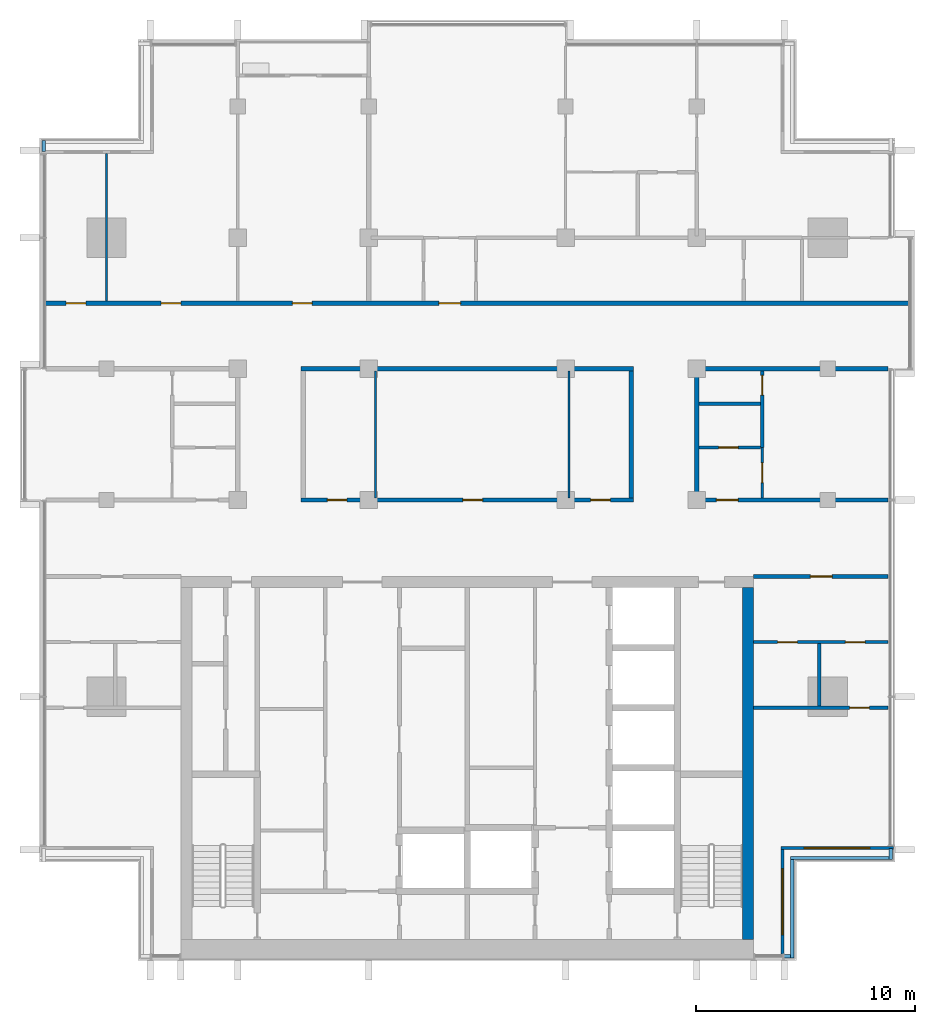
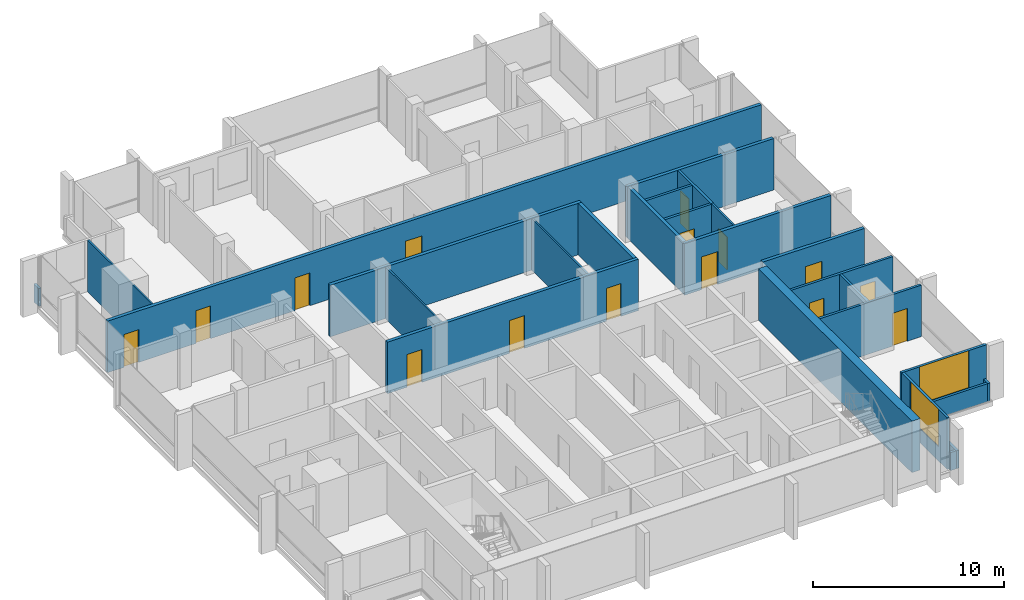
# One storey, part 9 of 16: 26 walls, 15 doors, 2 windows, 17 openings.
"""IFC4 building model written with IfcOpenShell, lengths in metres."""

from ifc_helpers import new_model, si_unit, direction, frame, frame_2d, origin, place, context, subcontext, project, spatial, rectangle, extrude, material, layer, layer_set, type_object, element, fill, save


model = new_model("IFC4")

# Units and contexts
model_context = context("Model", 3, precision=1e-05, world=origin(), true_north=direction((0.0, 1.0)))
body_context = subcontext(model_context, "Body", "Model", "MODEL_VIEW")
ifc_project = project(units=[si_unit("LENGTHUNIT", "METRE"), si_unit("AREAUNIT", "SQUARE_METRE"), si_unit("VOLUMEUNIT", "CUBIC_METRE"), si_unit("PLANEANGLEUNIT", "RADIAN"), si_unit("MASSUNIT", "GRAM", prefix="KILO")], contexts=[model_context])

# Site, building, storey
site_placement = place(None, origin())
site = spatial("IfcSite", under=ifc_project, at=site_placement, CompositionType="ELEMENT")
building_placement = place(site_placement, origin())
building = spatial("IfcBuilding", under=site, at=building_placement, Name="Finial Court Residences", CompositionType="ELEMENT")
storey_placement = place(building_placement, frame((0.0, 0.0, 255.5)))
storey = spatial("IfcBuildingStorey", under=building, at=storey_placement, Name="L64", CompositionType="ELEMENT", Elevation=255.5)

# Wall
ifc_material_1 = material(Name="Concrete C50/60", Category="concrete")
ifc_layer_1 = layer(ifc_material_1, 0.5)
ifc_layer_set_1 = layer_set([ifc_layer_1], Name="Core outer wall 500 Concrete C50/60")
wall_type_1 = type_object("IfcWallType", Name="Core outer wall 500 Concrete C50/60", PredefinedType="SHEAR", material=ifc_layer_set_1)
wall_1_placement = place(storey_placement, frame((12.85009765625, -24.60009765625, 0.0), z_axis=(0.0, 0.0, 1.0), x_axis=(0.0, 1.0, 0.0)))
element("IfcWall", 1, at=wall_1_placement, inside=storey, type_object=wall_type_1, Name="Core outer wall L64-04", PredefinedType="SHEAR", context=body_context, shape_type="SweptSolid", body=[
    extrude(rectangle(XDim=16.10009765625, YDim=0.5, at=frame_2d((8.050048828125, 0.0))), origin(), (0.0, 0.0, 1.0), 3.300048828125),
])

# Wall, opening, door
ifc_material_2 = material(Name="Gypsum board")
ifc_layer_2 = layer(ifc_material_2, 0.02490234375)
ifc_material_3 = material(Name="Acoustic mineral wool in double frame")
ifc_layer_3 = layer(ifc_material_3, 0.14990234375)
ifc_layer_4 = layer(ifc_material_2, 0.02490234375)
ifc_layer_set_2 = layer_set([ifc_layer_2, ifc_layer_3, ifc_layer_4], Name="Corridor wall 200, 1 hour")
wall_type_2 = type_object("IfcWallType", Name="Corridor wall 200, 1 hour", PredefinedType="PARTITIONING", material=ifc_layer_set_2)
wall_2_placement = place(storey_placement, frame((13.10009765625, -8.0, 0.0), z_axis=(0.0, 0.0, 1.0), x_axis=(1.0, 0.0, 0.0)))
wall_2 = element("IfcWall", 2, at=wall_2_placement, inside=storey, type_object=wall_type_2, Name="Partition L64-005", PredefinedType="PARTITIONING", context=body_context, shape_type="SweptSolid", body=[
    extrude(rectangle(XDim=6.162353515625, YDim=0.199951171875, at=frame_2d((3.0810546875, 0.0))), origin(), (0.0, 0.0, 1.0), 3.300048828125),
])
opening_1_placement = place(wall_2_placement, frame((2.60009765625, 0.0, 0.0)))
opening_1 = element("IfcOpeningElement", 3, at=opening_1_placement, cuts=wall_2, Name="Opening L64-D008", PredefinedType="OPENING", context=body_context, shape_type="SweptSolid", body=[
    extrude(rectangle(XDim=1.0, YDim=2.10009765625, at=frame_2d((0.5, 1.050048828125))), frame((0.0, 0.10986328125, 0.0), z_axis=(0.0, -1.0, 0.0), x_axis=(1.0, 0.0, 0.0)), (0.0, 0.0, 1.0), 0.219970703125),
])
ifc_material_4 = material(Name="Timber door leaf in hollow metal frame", Category="wood")
door_type_1 = type_object("IfcDoorType", Name="Fire door set 1000 x 2100, 30 minutes", OperationType="SINGLE_SWING_LEFT", PredefinedType="DOOR", material=ifc_material_4)
door_1_placement = place(opening_1_placement, origin())
door_1 = element("IfcDoor", 4, at=door_1_placement, inside=storey, type_object=door_type_1, Name="Door L64-D008", OperationType="SINGLE_SWING_RIGHT", OverallHeight=2.10009765625, OverallWidth=1.0, PredefinedType="DOOR", context=body_context, shape_type="SweptSolid", body=[
    extrude(rectangle(XDim=1.0, YDim=2.10009765625, at=frame_2d((0.5, 1.050048828125))), frame((0.0, 0.02490234375, 0.0), z_axis=(0.0, -1.0, 0.0), x_axis=(1.0, 0.0, 0.0)), (0.0, 0.0, 1.0), 0.050048828125),
])
fill(opening_1, door_1)

# Wall, openings, doors
wall_3_placement = place(storey_placement, frame((-7.60009765625, -4.5, 0.0), z_axis=(0.0, 0.0, 1.0), x_axis=(1.0, 0.0, 0.0)))
wall_3 = element("IfcWall", 5, at=wall_3_placement, inside=storey, type_object=wall_type_2, Name="Partition L64-007", PredefinedType="PARTITIONING", context=body_context, shape_type="SweptSolid", body=[
    extrude(rectangle(XDim=15.2001953125, YDim=0.199951171875, at=frame_2d((7.60009765625, 0.0))), origin(), (0.0, 0.0, 1.0), 3.300048828125),
])
opening_2_placement = place(wall_3_placement, frame((1.199951171875, 0.0, 0.0)))
opening_2 = element("IfcOpeningElement", 6, at=opening_2_placement, cuts=wall_3, Name="Opening L64-D010", PredefinedType="OPENING", context=body_context, shape_type="SweptSolid", body=[
    extrude(rectangle(XDim=0.89990234375, YDim=2.10009765625, at=frame_2d((0.449951171875, 1.050048828125))), frame((0.0, 0.10986328125, 0.0), z_axis=(0.0, -1.0, 0.0), x_axis=(1.0, 0.0, 0.0)), (0.0, 0.0, 1.0), 0.219970703125),
])
opening_3_placement = place(wall_3_placement, frame((7.39990234375, 0.0, 0.0)))
opening_3 = element("IfcOpeningElement", 7, at=opening_3_placement, cuts=wall_3, Name="Opening L64-D011", PredefinedType="OPENING", context=body_context, shape_type="SweptSolid", body=[
    extrude(rectangle(XDim=0.89990234375, YDim=2.10009765625, at=frame_2d((0.449951171875, 1.050048828125))), frame((0.0, 0.10986328125, 0.0), z_axis=(0.0, -1.0, 0.0), x_axis=(1.0, 0.0, 0.0)), (0.0, 0.0, 1.0), 0.219970703125),
])
opening_4_placement = place(wall_3_placement, frame((13.25, 0.0, 0.0)))
opening_4 = element("IfcOpeningElement", 8, at=opening_4_placement, cuts=wall_3, Name="Opening L64-D012", PredefinedType="OPENING", context=body_context, shape_type="SweptSolid", body=[
    extrude(rectangle(XDim=0.89990234375, YDim=2.10009765625, at=frame_2d((0.449951171875, 1.050048828125))), frame((0.0, 0.10986328125, 0.0), z_axis=(0.0, -1.0, 0.0), x_axis=(1.0, 0.0, 0.0)), (0.0, 0.0, 1.0), 0.219970703125),
])
door_type_2 = type_object("IfcDoorType", Name="Fire door set 900 x 2100, 30 minutes", OperationType="SINGLE_SWING_LEFT", PredefinedType="DOOR", material=ifc_material_4)
door_2_placement = place(opening_2_placement, origin())
door_2 = element("IfcDoor", 9, at=door_2_placement, inside=storey, type_object=door_type_2, Name="Door L64-D010", OperationType="SINGLE_SWING_RIGHT", OverallHeight=2.10009765625, OverallWidth=0.89990234375, PredefinedType="DOOR", context=body_context, shape_type="SweptSolid", body=[
    extrude(rectangle(XDim=0.89990234375, YDim=2.10009765625, at=frame_2d((0.449951171875, 1.050048828125))), frame((0.0, 0.02490234375, 0.0), z_axis=(0.0, -1.0, 0.0), x_axis=(1.0, 0.0, 0.0)), (0.0, 0.0, 1.0), 0.050048828125),
])
fill(opening_2, door_2)
door_3_placement = place(opening_3_placement, origin())
door_3 = element("IfcDoor", 10, at=door_3_placement, inside=storey, type_object=door_type_2, Name="Door L64-D011", OperationType="SINGLE_SWING_LEFT", OverallHeight=2.10009765625, OverallWidth=0.89990234375, PredefinedType="DOOR", context=body_context, shape_type="SweptSolid", body=[
    extrude(rectangle(XDim=0.89990234375, YDim=2.10009765625, at=frame_2d((0.449951171875, 1.050048828125))), frame((0.0, 0.02490234375, 0.0), z_axis=(0.0, -1.0, 0.0), x_axis=(1.0, 0.0, 0.0)), (0.0, 0.0, 1.0), 0.050048828125),
])
fill(opening_3, door_3)
door_4_placement = place(opening_4_placement, origin())
door_4 = element("IfcDoor", 11, at=door_4_placement, inside=storey, type_object=door_type_2, Name="Door L64-D012", OperationType="SINGLE_SWING_LEFT", OverallHeight=2.10009765625, OverallWidth=0.89990234375, PredefinedType="DOOR", context=body_context, shape_type="SweptSolid", body=[
    extrude(rectangle(XDim=0.89990234375, YDim=2.10009765625, at=frame_2d((0.449951171875, 1.050048828125))), frame((0.0, 0.02490234375, 0.0), z_axis=(0.0, -1.0, 0.0), x_axis=(1.0, 0.0, 0.0)), (0.0, 0.0, 1.0), 0.050048828125),
])
fill(opening_4, door_4)

# Wall, opening, door
wall_4_placement = place(storey_placement, frame((10.39990234375, -4.5, 0.0), z_axis=(0.0, 0.0, 1.0), x_axis=(1.0, 0.0, 0.0)))
wall_4 = element("IfcWall", 12, at=wall_4_placement, inside=storey, type_object=wall_type_2, Name="Partition L64-008", PredefinedType="PARTITIONING", context=body_context, shape_type="SweptSolid", body=[
    extrude(rectangle(XDim=8.862548828125, YDim=0.199951171875, at=frame_2d((4.43115234375, 0.0))), origin(), (0.0, 0.0, 1.0), 3.300048828125),
])
opening_5_placement = place(wall_4_placement, frame((1.0, 0.0, 0.0)))
opening_5 = element("IfcOpeningElement", 13, at=opening_5_placement, cuts=wall_4, Name="Opening L64-D013", PredefinedType="OPENING", context=body_context, shape_type="SweptSolid", body=[
    extrude(rectangle(XDim=1.0, YDim=2.10009765625, at=frame_2d((0.5, 1.050048828125))), frame((0.0, 0.10986328125, 0.0), z_axis=(0.0, -1.0, 0.0), x_axis=(1.0, 0.0, 0.0)), (0.0, 0.0, 1.0), 0.219970703125),
])
door_5_placement = place(opening_5_placement, origin())
door_5 = element("IfcDoor", 14, at=door_5_placement, inside=storey, type_object=door_type_1, Name="Door L64-D013", OperationType="SINGLE_SWING_RIGHT", OverallHeight=2.10009765625, OverallWidth=1.0, PredefinedType="DOOR", context=body_context, shape_type="SweptSolid", body=[
    extrude(rectangle(XDim=1.0, YDim=2.10009765625, at=frame_2d((0.5, 1.050048828125))), frame((0.0, 0.02490234375, 0.0), z_axis=(0.0, -1.0, 0.0), x_axis=(1.0, 0.0, 0.0)), (0.0, 0.0, 1.0), 0.050048828125),
])
fill(opening_5, door_5)

# Walls
wall_5_placement = place(storey_placement, frame((-7.60009765625, 1.5, 0.0), z_axis=(0.0, 0.0, 1.0), x_axis=(1.0, 0.0, 0.0)))
element("IfcWall", 15, at=wall_5_placement, inside=storey, type_object=wall_type_2, Name="Partition L64-014", PredefinedType="PARTITIONING", context=body_context, shape_type="SweptSolid", body=[
    extrude(rectangle(XDim=15.2001953125, YDim=0.199951171875, at=frame_2d((7.60009765625, 0.0))), origin(), (0.0, 0.0, 1.0), 3.300048828125),
])
wall_6_placement = place(storey_placement, frame((10.39990234375, 1.5, 0.0), z_axis=(0.0, 0.0, 1.0), x_axis=(1.0, 0.0, 0.0)))
element("IfcWall", 16, at=wall_6_placement, inside=storey, type_object=wall_type_2, Name="Partition L64-015", PredefinedType="PARTITIONING", context=body_context, shape_type="SweptSolid", body=[
    extrude(rectangle(XDim=8.862548828125, YDim=0.199951171875, at=frame_2d((4.43115234375, 0.0))), origin(), (0.0, 0.0, 1.0), 3.300048828125),
])

# Wall, openings, doors
wall_7_placement = place(storey_placement, frame((-19.35009765625, 4.5, 0.0), z_axis=(0.0, 0.0, 1.0), x_axis=(1.0, 0.0, 0.0)))
wall_7 = element("IfcWall", 17, at=wall_7_placement, inside=storey, type_object=wall_type_2, Name="Partition L64-016", PredefinedType="PARTITIONING", context=body_context, shape_type="SweptSolid", body=[
    extrude(rectangle(XDim=39.60009765625, YDim=0.199951171875, at=frame_2d((19.800048828125, 0.0))), origin(), (0.0, 0.0, 1.0), 3.300048828125),
])
opening_6_placement = place(wall_7_placement, frame((1.0, 0.0, 0.0)))
opening_6 = element("IfcOpeningElement", 18, at=opening_6_placement, cuts=wall_7, Name="Opening L64-D016", PredefinedType="OPENING", context=body_context, shape_type="SweptSolid", body=[
    extrude(rectangle(XDim=0.89990234375, YDim=2.10009765625, at=frame_2d((0.449951171875, 1.050048828125))), frame((0.0, 0.10986328125, 0.0), z_axis=(0.0, -1.0, 0.0), x_axis=(1.0, 0.0, 0.0)), (0.0, 0.0, 1.0), 0.219970703125),
])
opening_7_placement = place(wall_7_placement, frame((5.35009765625, 0.0, 0.0)))
opening_7 = element("IfcOpeningElement", 19, at=opening_7_placement, cuts=wall_7, Name="Opening L64-D017", PredefinedType="OPENING", context=body_context, shape_type="SweptSolid", body=[
    extrude(rectangle(XDim=0.89990234375, YDim=2.10009765625, at=frame_2d((0.449951171875, 1.050048828125))), frame((0.0, 0.10986328125, 0.0), z_axis=(0.0, -1.0, 0.0), x_axis=(1.0, 0.0, 0.0)), (0.0, 0.0, 1.0), 0.219970703125),
])
opening_8_placement = place(wall_7_placement, frame((11.35009765625, 0.0, 0.0)))
opening_8 = element("IfcOpeningElement", 20, at=opening_8_placement, cuts=wall_7, Name="Opening L64-D018", PredefinedType="OPENING", context=body_context, shape_type="SweptSolid", body=[
    extrude(rectangle(XDim=0.89990234375, YDim=2.10009765625, at=frame_2d((0.449951171875, 1.050048828125))), frame((0.0, 0.10986328125, 0.0), z_axis=(0.0, -1.0, 0.0), x_axis=(1.0, 0.0, 0.0)), (0.0, 0.0, 1.0), 0.219970703125),
])
opening_9_placement = place(wall_7_placement, frame((18.050048828125, 0.0, 0.0)))
opening_9 = element("IfcOpeningElement", 21, at=opening_9_placement, cuts=wall_7, Name="Opening L64-D019", PredefinedType="OPENING", context=body_context, shape_type="SweptSolid", body=[
    extrude(rectangle(XDim=1.0, YDim=2.10009765625, at=frame_2d((0.5, 1.050048828125))), frame((0.0, 0.10986328125, 0.0), z_axis=(0.0, -1.0, 0.0), x_axis=(1.0, 0.0, 0.0)), (0.0, 0.0, 1.0), 0.219970703125),
])
door_6_placement = place(opening_9_placement, origin())
door_6 = element("IfcDoor", 22, at=door_6_placement, inside=storey, type_object=door_type_1, Name="Door L64-D019", OperationType="SINGLE_SWING_RIGHT", OverallHeight=2.10009765625, OverallWidth=1.0, PredefinedType="DOOR", context=body_context, shape_type="SweptSolid", body=[
    extrude(rectangle(XDim=1.0, YDim=2.10009765625, at=frame_2d((0.5, 1.050048828125))), frame((0.0, 0.02490234375, 0.0), z_axis=(0.0, -1.0, 0.0), x_axis=(1.0, 0.0, 0.0)), (0.0, 0.0, 1.0), 0.050048828125),
])
fill(opening_9, door_6)
door_7_placement = place(opening_6_placement, origin())
door_7 = element("IfcDoor", 23, at=door_7_placement, inside=storey, type_object=door_type_2, Name="Door L64-D016", OperationType="SINGLE_SWING_RIGHT", OverallHeight=2.10009765625, OverallWidth=0.89990234375, PredefinedType="DOOR", context=body_context, shape_type="SweptSolid", body=[
    extrude(rectangle(XDim=0.89990234375, YDim=2.10009765625, at=frame_2d((0.449951171875, 1.050048828125))), frame((0.0, 0.02490234375, 0.0), z_axis=(0.0, -1.0, 0.0), x_axis=(1.0, 0.0, 0.0)), (0.0, 0.0, 1.0), 0.050048828125),
])
fill(opening_6, door_7)
door_8_placement = place(opening_7_placement, origin())
door_8 = element("IfcDoor", 24, at=door_8_placement, inside=storey, type_object=door_type_2, Name="Door L64-D017", OperationType="SINGLE_SWING_RIGHT", OverallHeight=2.10009765625, OverallWidth=0.89990234375, PredefinedType="DOOR", context=body_context, shape_type="SweptSolid", body=[
    extrude(rectangle(XDim=0.89990234375, YDim=2.10009765625, at=frame_2d((0.449951171875, 1.050048828125))), frame((0.0, 0.02490234375, 0.0), z_axis=(0.0, -1.0, 0.0), x_axis=(1.0, 0.0, 0.0)), (0.0, 0.0, 1.0), 0.050048828125),
])
fill(opening_7, door_8)
door_9_placement = place(opening_8_placement, origin())
door_9 = element("IfcDoor", 25, at=door_9_placement, inside=storey, type_object=door_type_2, Name="Door L64-D018", OperationType="SINGLE_SWING_RIGHT", OverallHeight=2.10009765625, OverallWidth=0.89990234375, PredefinedType="DOOR", context=body_context, shape_type="SweptSolid", body=[
    extrude(rectangle(XDim=0.89990234375, YDim=2.10009765625, at=frame_2d((0.449951171875, 1.050048828125))), frame((0.0, 0.02490234375, 0.0), z_axis=(0.0, -1.0, 0.0), x_axis=(1.0, 0.0, 0.0)), (0.0, 0.0, 1.0), 0.050048828125),
])
fill(opening_8, door_9)

# Walls
for number, where, z_axis, x_axis, name in (
    (26, (7.5, -4.39990234375, 0.0), (0.0, 0.0, 1.0), (0.0, 1.0, 0.0), "Partition L64-036"),
    (27, (10.5, -4.39990234375, 0.0), (0.0, 0.0, 1.0), (0.0, 1.0, 0.0), "Partition L64-038"),
):
    element("IfcWall", number, at=place(storey_placement, frame(where, z_axis=z_axis, x_axis=x_axis)), inside=storey, type_object=wall_type_2, Name=name, PredefinedType="PARTITIONING", context=body_context, shape_type="SweptSolid", body=[
        extrude(rectangle(XDim=5.7998046875, YDim=0.199951171875, at=frame_2d((2.89990234375, 0.0))), origin(), (0.0, 0.0, 1.0), 3.300048828125),
    ])
ifc_layer_5 = layer(ifc_material_2, 0.012451171875)
ifc_material_5 = material(Name="Mineral wool in light-gauge frame")
ifc_layer_6 = layer(ifc_material_5, 0.074951171875)
ifc_layer_7 = layer(ifc_material_2, 0.012451171875)
ifc_layer_set_3 = layer_set([ifc_layer_5, ifc_layer_6, ifc_layer_7], Name="Gypsum board partition 100")
wall_type_3 = type_object("IfcWallType", Name="Gypsum board partition 100", PredefinedType="PARTITIONING", material=ifc_layer_set_3)
wall_8_placement = place(storey_placement, frame((-16.5, 4.60009765625, 0.0), z_axis=(0.0, 0.0, 1.0), x_axis=(0.0, 1.0, 0.0)))
element("IfcWall", 28, at=wall_8_placement, inside=storey, type_object=wall_type_3, Name="Partition L64-023", PredefinedType="PARTITIONING", context=body_context, shape_type="SweptSolid", body=[
    extrude(rectangle(XDim=6.75, YDim=0.10009765625, at=frame_2d((3.375, 0.0))), origin(), (0.0, 0.0, 1.0), 3.300048828125),
])
for number, where, z_axis, x_axis, name in (
    (29, (-4.199951171875, -4.39990234375, 0.0), (0.0, 0.0, 1.0), (0.0, 1.0, 0.0), "Partition L64-031"),
    (30, (4.64990234375, -4.39990234375, 0.0), (0.0, 0.0, 1.0), (0.0, 1.0, 0.0), "Partition L64-035"),
):
    element("IfcWall", number, at=place(storey_placement, frame(where, z_axis=z_axis, x_axis=x_axis)), inside=storey, type_object=wall_type_3, Name=name, PredefinedType="PARTITIONING", context=body_context, shape_type="SweptSolid", body=[
        extrude(rectangle(XDim=5.7998046875, YDim=0.10009765625, at=frame_2d((2.89990234375, 0.0))), origin(), (0.0, 0.0, 1.0), 3.300048828125),
    ])

# Wall, opening, door
wall_9_placement = place(storey_placement, frame((13.5, -4.39990234375, 0.0), z_axis=(0.0, 0.0, 1.0), x_axis=(0.0, 1.0, 0.0)))
wall_9 = element("IfcWall", 31, at=wall_9_placement, inside=storey, type_object=wall_type_3, Name="Partition L64-042", PredefinedType="PARTITIONING", context=body_context, shape_type="SweptSolid", body=[
    extrude(rectangle(XDim=2.2998046875, YDim=0.10009765625, at=frame_2d((1.14990234375, 0.0))), origin(), (0.0, 0.0, 1.0), 3.300048828125),
])
opening_10_placement = place(wall_9_placement, frame((0.699951171875, 0.0, 0.0)))
opening_10 = element("IfcOpeningElement", 32, at=opening_10_placement, cuts=wall_9, Name="Opening L64-D031", PredefinedType="OPENING", context=body_context, shape_type="SweptSolid", body=[
    extrude(rectangle(XDim=0.89990234375, YDim=2.10009765625, at=frame_2d((0.449951171875, 1.050048828125))), frame((0.0, 0.06005859375, 0.0), z_axis=(0.0, -1.0, 0.0), x_axis=(1.0, 0.0, 0.0)), (0.0, 0.0, 1.0), 0.1201171875),
])
ifc_material_6 = material(Name="Timber door leaf in timber frame", Category="wood")
door_type_3 = type_object("IfcDoorType", Name="Door set 900 x 2100", OperationType="SINGLE_SWING_LEFT", PredefinedType="DOOR", material=ifc_material_6)
door_10_placement = place(opening_10_placement, origin())
door_10 = element("IfcDoor", 33, at=door_10_placement, inside=storey, type_object=door_type_3, Name="Door L64-D031", OperationType="SINGLE_SWING_LEFT", OverallHeight=2.10009765625, OverallWidth=0.89990234375, PredefinedType="DOOR", context=body_context, shape_type="SweptSolid", body=[
    extrude(rectangle(XDim=0.89990234375, YDim=2.10009765625, at=frame_2d((0.449951171875, 1.050048828125))), frame((0.0, 0.02490234375, 0.0), z_axis=(0.0, -1.0, 0.0), x_axis=(1.0, 0.0, 0.0)), (0.0, 0.0, 1.0), 0.050048828125),
])
fill(opening_10, door_10)

ifc_material_7 = material(Name="Moisture-resistant gypsum board")
ifc_layer_8 = layer(ifc_material_7, 0.012451171875)
ifc_layer_9 = layer(ifc_material_5, 0.125)
ifc_layer_10 = layer(ifc_material_7, 0.012451171875)
ifc_layer_set_4 = layer_set([ifc_layer_8, ifc_layer_9, ifc_layer_10], Name="Gypsum board wet-area partition 150")
wall_type_4 = type_object("IfcWallType", Name="Gypsum board wet-area partition 150", PredefinedType="PARTITIONING", material=ifc_layer_set_4)
wall_10_placement = place(storey_placement, frame((13.10009765625, -14.0, 0.0), z_axis=(0.0, 0.0, 1.0), x_axis=(1.0, 0.0, 0.0)))
wall_10 = element("IfcWall", 34, at=wall_10_placement, inside=storey, type_object=wall_type_4, Name="Partition L64-001", PredefinedType="PARTITIONING", context=body_context, shape_type="SweptSolid", body=[
    extrude(rectangle(XDim=6.162353515625, YDim=0.14990234375, at=frame_2d((3.0810546875, 0.0))), origin(), (0.0, 0.0, 1.0), 3.300048828125),
])
opening_11_placement = place(wall_10_placement, frame((4.39990234375, 0.0, 0.0)))
opening_11 = element("IfcOpeningElement", 35, at=opening_11_placement, cuts=wall_10, Name="Opening L64-D002", PredefinedType="OPENING", context=body_context, shape_type="SweptSolid", body=[
    extrude(rectangle(XDim=0.89990234375, YDim=2.10009765625, at=frame_2d((0.449951171875, 1.050048828125))), frame((0.0, 0.0849609375, 0.0), z_axis=(0.0, -1.0, 0.0), x_axis=(1.0, 0.0, 0.0)), (0.0, 0.0, 1.0), 0.169921875),
])
door_11_placement = place(opening_11_placement, origin())
door_11 = element("IfcDoor", 36, at=door_11_placement, inside=storey, type_object=door_type_3, Name="Door L64-D002", OperationType="SINGLE_SWING_RIGHT", OverallHeight=2.10009765625, OverallWidth=0.89990234375, PredefinedType="DOOR", context=body_context, shape_type="SweptSolid", body=[
    extrude(rectangle(XDim=0.89990234375, YDim=2.10009765625, at=frame_2d((0.449951171875, 1.050048828125))), frame((0.0, 0.02490234375, 0.0), z_axis=(0.0, -1.0, 0.0), x_axis=(1.0, 0.0, 0.0)), (0.0, 0.0, 1.0), 0.050048828125),
])
fill(opening_11, door_11)

# Wall, openings, doors
wall_11_placement = place(storey_placement, frame((13.10009765625, -11.0, 0.0), z_axis=(0.0, 0.0, 1.0), x_axis=(1.0, 0.0, 0.0)))
wall_11 = element("IfcWall", 37, at=wall_11_placement, inside=storey, type_object=wall_type_4, Name="Partition L64-003", PredefinedType="PARTITIONING", context=body_context, shape_type="SweptSolid", body=[
    extrude(rectangle(XDim=6.162353515625, YDim=0.14990234375, at=frame_2d((3.0810546875, 0.0))), origin(), (0.0, 0.0, 1.0), 3.300048828125),
])
opening_12_placement = place(wall_11_placement, frame((1.10009765625, 0.0, 0.0)))
opening_12 = element("IfcOpeningElement", 38, at=opening_12_placement, cuts=wall_11, Name="Opening L64-D005", PredefinedType="OPENING", context=body_context, shape_type="SweptSolid", body=[
    extrude(rectangle(XDim=0.89990234375, YDim=2.10009765625, at=frame_2d((0.449951171875, 1.050048828125))), frame((0.0, 0.0849609375, 0.0), z_axis=(0.0, -1.0, 0.0), x_axis=(1.0, 0.0, 0.0)), (0.0, 0.0, 1.0), 0.169921875),
])
opening_13_placement = place(wall_11_placement, frame((4.199951171875, 0.0, 0.0)))
opening_13 = element("IfcOpeningElement", 39, at=opening_13_placement, cuts=wall_11, Name="Opening L64-D006", PredefinedType="OPENING", context=body_context, shape_type="SweptSolid", body=[
    extrude(rectangle(XDim=0.89990234375, YDim=2.10009765625, at=frame_2d((0.449951171875, 1.050048828125))), frame((0.0, 0.0849609375, 0.0), z_axis=(0.0, -1.0, 0.0), x_axis=(1.0, 0.0, 0.0)), (0.0, 0.0, 1.0), 0.169921875),
])
door_12_placement = place(opening_12_placement, origin())
door_12 = element("IfcDoor", 40, at=door_12_placement, inside=storey, type_object=door_type_3, Name="Door L64-D005", OperationType="SINGLE_SWING_LEFT", OverallHeight=2.10009765625, OverallWidth=0.89990234375, PredefinedType="DOOR", context=body_context, shape_type="SweptSolid", body=[
    extrude(rectangle(XDim=0.89990234375, YDim=2.10009765625, at=frame_2d((0.449951171875, 1.050048828125))), frame((0.0, 0.02490234375, 0.0), z_axis=(0.0, -1.0, 0.0), x_axis=(1.0, 0.0, 0.0)), (0.0, 0.0, 1.0), 0.050048828125),
])
fill(opening_12, door_12)
door_13_placement = place(opening_13_placement, origin())
door_13 = element("IfcDoor", 41, at=door_13_placement, inside=storey, type_object=door_type_3, Name="Door L64-D006", OperationType="SINGLE_SWING_RIGHT", OverallHeight=2.10009765625, OverallWidth=0.89990234375, PredefinedType="DOOR", context=body_context, shape_type="SweptSolid", body=[
    extrude(rectangle(XDim=0.89990234375, YDim=2.10009765625, at=frame_2d((0.449951171875, 1.050048828125))), frame((0.0, 0.02490234375, 0.0), z_axis=(0.0, -1.0, 0.0), x_axis=(1.0, 0.0, 0.0)), (0.0, 0.0, 1.0), 0.050048828125),
])
fill(opening_13, door_13)

# Wall, opening, door
wall_12_placement = place(storey_placement, frame((10.60009765625, -2.10009765625, 0.0), z_axis=(0.0, 0.0, 1.0), x_axis=(1.0, 0.0, 0.0)))
wall_12 = element("IfcWall", 42, at=wall_12_placement, inside=storey, type_object=wall_type_4, Name="Partition L64-010", PredefinedType="PARTITIONING", context=body_context, shape_type="SweptSolid", body=[
    extrude(rectangle(XDim=2.824951171875, YDim=0.14990234375, at=frame_2d((1.41259765625, 0.0))), origin(), (0.0, 0.0, 1.0), 3.300048828125),
])
opening_14_placement = place(wall_12_placement, frame((0.89990234375, 0.0, 0.0)))
opening_14 = element("IfcOpeningElement", 43, at=opening_14_placement, cuts=wall_12, Name="Opening L64-D015", PredefinedType="OPENING", context=body_context, shape_type="SweptSolid", body=[
    extrude(rectangle(XDim=0.89990234375, YDim=2.10009765625, at=frame_2d((0.449951171875, 1.050048828125))), frame((0.0, 0.0849609375, 0.0), z_axis=(0.0, -1.0, 0.0), x_axis=(1.0, 0.0, 0.0)), (0.0, 0.0, 1.0), 0.169921875),
])
door_14_placement = place(opening_14_placement, origin())
door_14 = element("IfcDoor", 44, at=door_14_placement, inside=storey, type_object=door_type_3, Name="Door L64-D015", OperationType="SINGLE_SWING_LEFT", OverallHeight=2.10009765625, OverallWidth=0.89990234375, PredefinedType="DOOR", context=body_context, shape_type="SweptSolid", body=[
    extrude(rectangle(XDim=0.89990234375, YDim=2.10009765625, at=frame_2d((0.449951171875, 1.050048828125))), frame((0.0, 0.02490234375, 0.0), z_axis=(0.0, -1.0, 0.0), x_axis=(1.0, 0.0, 0.0)), (0.0, 0.0, 1.0), 0.050048828125),
])
fill(opening_14, door_14)

# Wall
wall_13_placement = place(storey_placement, frame((10.60009765625, -0.10009765625, 0.0), z_axis=(0.0, 0.0, 1.0), x_axis=(1.0, 0.0, 0.0)))
element("IfcWall", 45, at=wall_13_placement, inside=storey, type_object=wall_type_4, Name="Partition L64-012", PredefinedType="PARTITIONING", context=body_context, shape_type="SweptSolid", body=[
    extrude(rectangle(XDim=2.824951171875, YDim=0.14990234375, at=frame_2d((1.41259765625, 0.0))), origin(), (0.0, 0.0, 1.0), 3.300048828125),
])

# Wall, opening, door
wall_14_placement = place(storey_placement, frame((13.5, -2.10009765625, 0.0), z_axis=(0.0, 0.0, 1.0), x_axis=(0.0, 1.0, 0.0)))
wall_14 = element("IfcWall", 46, at=wall_14_placement, inside=storey, type_object=wall_type_4, Name="Partition L64-043", PredefinedType="PARTITIONING", context=body_context, shape_type="SweptSolid", body=[
    extrude(rectangle(XDim=3.5, YDim=0.14990234375, at=frame_2d((1.75, 0.0))), origin(), (0.0, 0.0, 1.0), 3.300048828125),
])
opening_15_placement = place(wall_14_placement, frame((2.39990234375, 0.0, 0.0)))
opening_15 = element("IfcOpeningElement", 47, at=opening_15_placement, cuts=wall_14, Name="Opening L64-D032", PredefinedType="OPENING", context=body_context, shape_type="SweptSolid", body=[
    extrude(rectangle(XDim=0.89990234375, YDim=2.10009765625, at=frame_2d((0.449951171875, 1.050048828125))), frame((0.0, 0.0849609375, 0.0), z_axis=(0.0, -1.0, 0.0), x_axis=(1.0, 0.0, 0.0)), (0.0, 0.0, 1.0), 0.169921875),
])
door_15_placement = place(opening_15_placement, origin())
door_15 = element("IfcDoor", 48, at=door_15_placement, inside=storey, type_object=door_type_3, Name="Door L64-D032", OperationType="SINGLE_SWING_LEFT", OverallHeight=2.10009765625, OverallWidth=0.89990234375, PredefinedType="DOOR", context=body_context, shape_type="SweptSolid", body=[
    extrude(rectangle(XDim=0.89990234375, YDim=2.10009765625, at=frame_2d((0.449951171875, 1.050048828125))), frame((0.0, 0.02490234375, 0.0), z_axis=(0.0, -1.0, 0.0), x_axis=(1.0, 0.0, 0.0)), (0.0, 0.0, 1.0), 0.050048828125),
])
fill(opening_15, door_15)

# Walls
wall_15_placement = place(storey_placement, frame((16.10009765625, -13.925048828125, 0.0), z_axis=(0.0, 0.0, 1.0), x_axis=(0.0, 1.0, 0.0)))
element("IfcWall", 49, at=wall_15_placement, inside=storey, type_object=wall_type_4, Name="Partition L64-045", PredefinedType="PARTITIONING", context=body_context, shape_type="SweptSolid", body=[
    extrude(rectangle(XDim=2.85009765625, YDim=0.14990234375, at=frame_2d((1.425048828125, 0.0))), origin(), (0.0, 0.0, 1.0), 3.300048828125),
])
ifc_material_8 = material(Name="Concrete C35/45", Category="concrete")
ifc_layer_11 = layer(ifc_material_8, 0.14990234375)
ifc_layer_set_5 = layer_set([ifc_layer_11], Name="Ledge parapet, Concrete C35/45 150")
wall_type_5 = type_object("IfcWallType", Name="Ledge parapet, Concrete C35/45 150", PredefinedType="PARAPET", material=ifc_layer_set_5)
wall_16_placement = place(storey_placement, frame((19.375, -20.447509765625, 0.0), z_axis=(0.0, 0.0, 1.0), x_axis=(0.0, -1.0, 0.0)))
element("IfcWall", 50, at=wall_16_placement, inside=storey, type_object=wall_type_5, Name="E-L64-LED1-P1", PredefinedType="PARAPET", context=body_context, shape_type="SweptSolid", body=[
    extrude(rectangle(XDim=0.50244140625, YDim=0.14990234375, at=frame_2d((0.251220703125, 0.0))), origin(), (0.0, 0.0, 1.0), 1.14990234375),
])
for number, where, z_axis, x_axis, name in (
    (51, (19.300048828125, -20.875, 0.0), (0.0, 0.0, 1.0), (-1.0, 0.0, 0.0), "E-L64-LED1-P2"),
    (52, (14.875, -20.949951171875, 0.0), (0.0, 0.0, 1.0), (0.0, -1.0, 0.0), "E-L64-LED1-P3"),
):
    element("IfcWall", number, at=place(storey_placement, frame(where, z_axis=z_axis, x_axis=x_axis)), inside=storey, type_object=wall_type_5, Name=name, PredefinedType="PARAPET", context=body_context, shape_type="SweptSolid", body=[
        extrude(rectangle(XDim=4.5, YDim=0.14990234375, at=frame_2d((2.25, 0.0))), origin(), (0.0, 0.0, 1.0), 1.14990234375),
    ])
wall_17_placement = place(storey_placement, frame((14.800048828125, -25.375, 0.0), z_axis=(0.0, 0.0, 1.0), x_axis=(-1.0, 0.0, 0.0)))
element("IfcWall", 53, at=wall_17_placement, inside=storey, type_object=wall_type_5, Name="E-L64-LED1-P4", PredefinedType="PARAPET", context=body_context, shape_type="SweptSolid", body=[
    extrude(rectangle(XDim=0.3525390625, YDim=0.14990234375, at=frame_2d((0.17626953125, 0.0))), origin(), (0.0, 0.0, 1.0), 1.14990234375),
])
wall_18_placement = place(storey_placement, frame((-19.375, 11.447509765625, 0.0), z_axis=(0.0, 0.0, 1.0), x_axis=(0.0, 1.0, 0.0)))
element("IfcWall", 54, at=wall_18_placement, inside=storey, type_object=wall_type_5, Name="E-L64-LED3-P2", PredefinedType="PARAPET", context=body_context, shape_type="SweptSolid", body=[
    extrude(rectangle(XDim=0.50244140625, YDim=0.14990234375, at=frame_2d((0.251220703125, 0.0))), origin(), (0.0, 0.0, 1.0), 1.14990234375),
])

# Wall, opening, window
ifc_material_9 = material(Name="Natural limestone", Category="masonry")
ifc_layer_12 = layer(ifc_material_9, 0.14990234375)
ifc_layer_set_6 = layer_set([ifc_layer_12], Name="Limestone clad wall 150")
wall_type_6 = type_object("IfcWallType", Name="Limestone clad wall 150", PredefinedType="SOLIDWALL", material=ifc_layer_set_6)
wall_19_placement = place(storey_placement, frame((14.425048828125, -20.5, 0.0), z_axis=(0.0, 0.0, 1.0), x_axis=(0.0, -1.0, 0.0)))
wall_19 = element("IfcWall", 55, at=wall_19_placement, inside=storey, type_object=wall_type_6, Name="E-L64-NWE14", PredefinedType="SOLIDWALL", context=body_context, shape_type="SweptSolid", body=[
    extrude(rectangle(XDim=4.762451171875, YDim=0.14990234375, at=frame_2d((2.38134765625, 0.0))), origin(), (0.0, 0.0, 1.0), 3.300048828125),
])
opening_16_placement = place(wall_19_placement, frame((0.88134765625, 0.0, 0.89990234375)))
opening_16 = element("IfcOpeningElement", 56, at=opening_16_placement, cuts=wall_19, Name="Opening WE64-03", PredefinedType="OPENING", context=body_context, shape_type="SweptSolid", body=[
    extrude(rectangle(XDim=3.0, YDim=2.39990234375, at=frame_2d((1.5, 1.199951171875))), frame((0.0, 0.0849609375, 0.0), z_axis=(0.0, -1.0, 0.0), x_axis=(1.0, 0.0, 0.0)), (0.0, 0.0, 1.0), 0.169921875),
])
ifc_material_10 = material(Name="Clear low-e glass", Category="glass")
window_type = type_object("IfcWindowType", Name="Corner window 3000 x 2400", PartitioningType="SINGLE_PANEL", PredefinedType="WINDOW", material=ifc_material_10)
window_1_placement = place(opening_16_placement, origin())
window_1 = element("IfcWindow", 57, at=window_1_placement, inside=storey, type_object=window_type, Name="E-L64-NWE14-W1", OverallHeight=2.39990234375, OverallWidth=3.0, PartitioningType="SINGLE_PANEL", PredefinedType="WINDOW", context=body_context, shape_type="SweptSolid", body=[
    extrude(rectangle(XDim=3.0, YDim=2.39990234375, at=frame_2d((1.5, 1.199951171875))), frame((0.0, 0.030029296875, 0.0), z_axis=(0.0, -1.0, 0.0), x_axis=(1.0, 0.0, 0.0)), (0.0, 0.0, 1.0), 0.06005859375),
])
fill(opening_16, window_1)

wall_20_placement = place(storey_placement, frame((19.5, -20.425048828125, 0.0), z_axis=(0.0, 0.0, 1.0), x_axis=(-1.0, 0.0, 0.0)))
wall_20 = element("IfcWall", 58, at=wall_20_placement, inside=storey, type_object=wall_type_6, Name="E-L64-NWS15", PredefinedType="SOLIDWALL", context=body_context, shape_type="SweptSolid", body=[
    extrude(rectangle(XDim=5.14990234375, YDim=0.14990234375, at=frame_2d((2.574951171875, 0.0))), origin(), (0.0, 0.0, 1.0), 3.300048828125),
])
opening_17_placement = place(wall_20_placement, frame((1.074951171875, 0.0, 0.89990234375)))
opening_17 = element("IfcOpeningElement", 59, at=opening_17_placement, cuts=wall_20, Name="Opening WE64-04", PredefinedType="OPENING", context=body_context, shape_type="SweptSolid", body=[
    extrude(rectangle(XDim=3.0, YDim=2.39990234375, at=frame_2d((1.5, 1.199951171875))), frame((0.0, 0.0849609375, 0.0), z_axis=(0.0, -1.0, 0.0), x_axis=(1.0, 0.0, 0.0)), (0.0, 0.0, 1.0), 0.169921875),
])
window_2_placement = place(opening_17_placement, origin())
window_2 = element("IfcWindow", 60, at=window_2_placement, inside=storey, type_object=window_type, Name="E-L64-NWS15-W1", OverallHeight=2.39990234375, OverallWidth=3.0, PartitioningType="SINGLE_PANEL", PredefinedType="WINDOW", context=body_context, shape_type="SweptSolid", body=[
    extrude(rectangle(XDim=3.0, YDim=2.39990234375, at=frame_2d((1.5, 1.199951171875))), frame((0.0, 0.030029296875, 0.0), z_axis=(0.0, -1.0, 0.0), x_axis=(1.0, 0.0, 0.0)), (0.0, 0.0, 1.0), 0.06005859375),
])
fill(opening_17, window_2)

save(model, "model.ifc")
